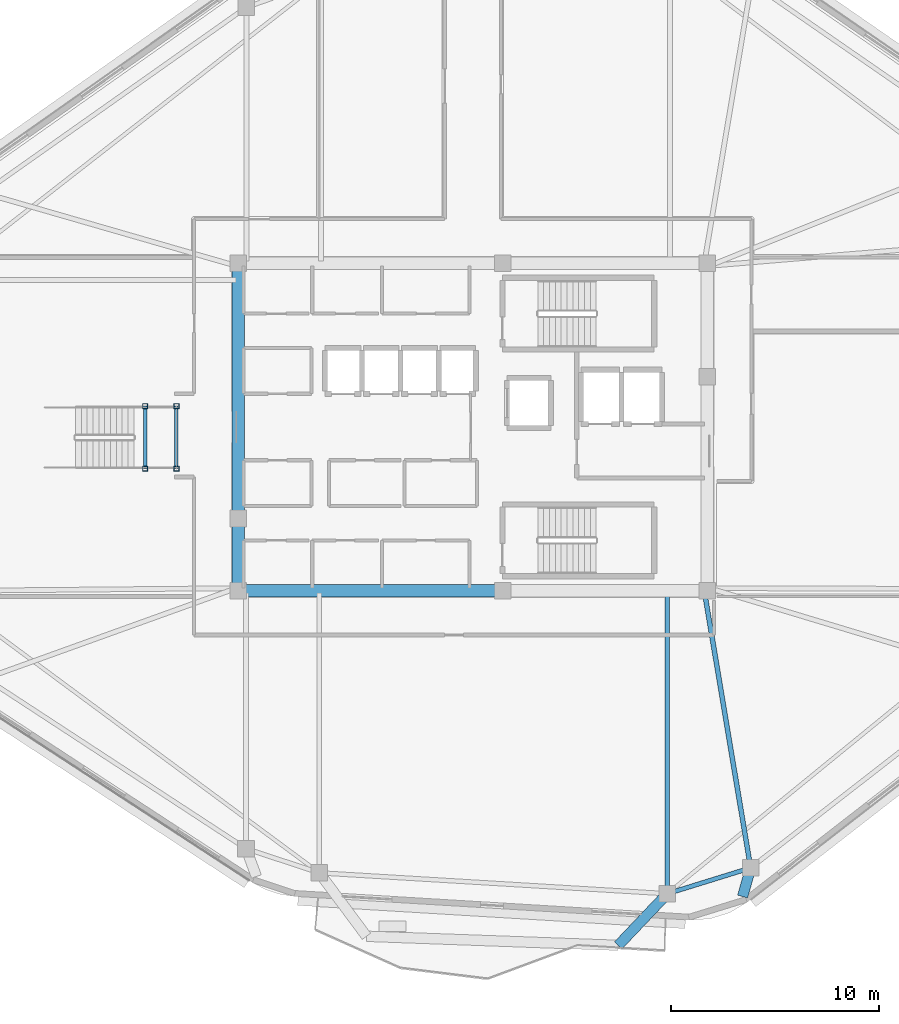
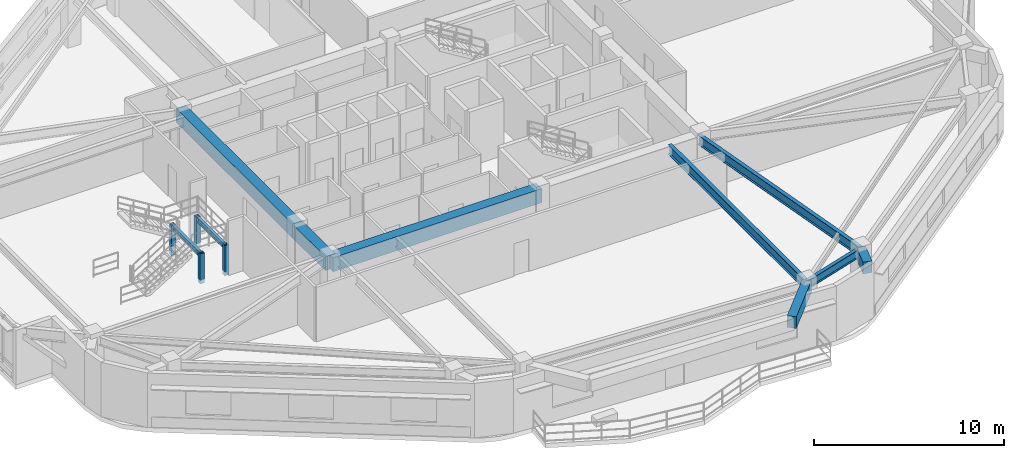
# One storey, part 5 of 18: 10 beams, 4 members.
"""IFC4 building model written with IfcOpenShell, lengths in metres."""

from ifc_helpers import new_model, si_unit, direction, frame, origin, origin_2d, place, context, subcontext, project, spatial, rectangle, hollow_rectangle, i_section, extrude, material, material_profile, profile_set, type_object, element, save


model = new_model("IFC4")

# Units and contexts
model_context = context("Model", 3, precision=1e-05, world=origin(), true_north=direction((0.0, 1.0)))
body_context = subcontext(model_context, "Body", "Model", "MODEL_VIEW")
ifc_project = project(units=[si_unit("LENGTHUNIT", "METRE"), si_unit("AREAUNIT", "SQUARE_METRE"), si_unit("VOLUMEUNIT", "CUBIC_METRE"), si_unit("PLANEANGLEUNIT", "RADIAN"), si_unit("MASSUNIT", "GRAM", prefix="KILO")], contexts=[model_context])

# Site, building, storey
site_placement = place(None, origin())
site = spatial("IfcSite", under=ifc_project, at=site_placement, CompositionType="ELEMENT")
building_placement = place(site_placement, origin())
building = spatial("IfcBuilding", under=site, at=building_placement, Name="Zulverin Broadcast Headquarters", CompositionType="ELEMENT")
storey_placement = place(building_placement, frame((0.0, 0.0, 225.0)))
storey = spatial("IfcBuildingStorey", under=building, at=storey_placement, Name="L57", CompositionType="ELEMENT", Elevation=225.0)

# Beams
ifc_material_1 = material(Name="Concrete C60/75", Category="concrete")
ifc_material_profile_1 = material_profile(ifc_material_1, rectangle(XDim=0.60009765625, YDim=0.89990234375, at=origin_2d()), Name="Concrete C60/75", Category="concrete")
ifc_profile_set_1 = profile_set([ifc_material_profile_1], Name="Concrete C60/75")
beam_type_1 = type_object("IfcBeamType", Name="BM-CB-600x900", PredefinedType="LINTEL", material=ifc_profile_set_1)
beam_1_placement = place(storey_placement, frame((25.72509765625, 17.324951171875, 3.06005859375), z_axis=(1.0, 0.0, 0.0), x_axis=(0.0, 1.0, 0.0)))
element("IfcBeam", 1, at=beam_1_placement, inside=storey, type_object=beam_type_1, Name="L57 Core Coupling Girder K01-K02", PredefinedType="LINTEL", context=body_context, shape_type="SweptSolid", body=[
    extrude(rectangle(XDim=0.60009765625, YDim=0.89990234375, at=origin_2d()), origin(), (0.0, 0.0, 1.0), 12.724853515625),
])
beam_2_placement = place(storey_placement, frame((25.72509765625, 33.074951171875, 3.06005859375), z_axis=(0.0, -1.0, 0.0), x_axis=(1.0, 0.0, 0.0)))
element("IfcBeam", 2, at=beam_2_placement, inside=storey, type_object=beam_type_1, Name="L57 Core Coupling Girder K07-K08", PredefinedType="LINTEL", context=body_context, shape_type="SweptSolid", body=[
    extrude(rectangle(XDim=0.60009765625, YDim=0.89990234375, at=origin_2d()), origin(), (0.0, 0.0, 1.0), 12.27490234375),
])
beam_3_placement = place(storey_placement, frame((25.72509765625, 20.800048828125, 3.06005859375), z_axis=(0.0, -1.0, 0.0), x_axis=(1.0, 0.0, 0.0)))
element("IfcBeam", 3, at=beam_3_placement, inside=storey, type_object=beam_type_1, Name="L57 Core Coupling Girder K08-K01", PredefinedType="LINTEL", context=body_context, shape_type="SweptSolid", body=[
    extrude(rectangle(XDim=0.60009765625, YDim=0.89990234375, at=origin_2d()), origin(), (0.0, 0.0, 1.0), 3.47509765625),
])
ifc_material_2 = material(Name="Concrete C40/50", Category="concrete")
ifc_material_profile_2 = material_profile(ifc_material_2, rectangle(XDim=0.5, YDim=0.75, at=origin_2d()), Name="Concrete C40/50", Category="concrete")
ifc_profile_set_2 = profile_set([ifc_material_profile_2], Name="Concrete C40/50")
beam_type_2 = type_object("IfcBeamType", Name="BM-RC-500x750", PredefinedType="BEAM", material=ifc_profile_set_2)
beam_4_placement = place(storey_placement, frame((50.361083984375, 4.001708984375, 3.135009765625), z_axis=(-0.269914876125, -0.962884188076, 0.0), x_axis=(0.962884188076, -0.269914876125, 0.0)))
element("IfcBeam", 4, at=beam_4_placement, inside=storey, type_object=beam_type_2, Name="L58 Plate Overhang Back-Spanned Beam OVR-03", PredefinedType="BEAM", context=body_context, shape_type="SweptSolid", body=[
    extrude(rectangle(XDim=0.5, YDim=0.75, at=origin_2d()), origin(), (0.0, 0.0, 1.0), 1.429931640625),
])
beam_5_placement = place(storey_placement, frame((46.3515625, 2.759521484375, 3.135009765625), z_axis=(-0.688246957327, -0.725476481858, 0.0), x_axis=(0.725476481858, -0.688246957327, 0.0)))
element("IfcBeam", 5, at=beam_5_placement, inside=storey, type_object=beam_type_2, Name="L58 Balcony Column-Framed Cantilever BAL_S-2", PredefinedType="BEAM", context=body_context, shape_type="SweptSolid", body=[
    extrude(rectangle(XDim=0.5, YDim=0.75, at=origin_2d()), origin(), (0.0, 0.0, 1.0), 3.423095703125),
])
ifc_material_3 = material(Name="Structural steel S355JR", Category="steel")
ifc_material_profile_3 = material_profile(ifc_material_3, i_section(OverallWidth=0.1669921875, OverallDepth=0.310302734375, WebThickness=0.0078125, FlangeThickness=0.013671875, at=origin_2d()), Name="Structural steel S355JR", Category="steel")
ifc_profile_set_3 = profile_set([ifc_material_profile_3], Name="Structural steel S355JR")
beam_type_3 = type_object("IfcBeamType", Name="BM-UB-305", PredefinedType="SPANDREL", material=ifc_profile_set_3)
for number, where, z_axis, x_axis, name in (
    (6, (22.75, 23.199951171875, 1.544921875), (0.0, 1.0, 0.0), (-1.0, 0.0, 0.0), "L57 Sky Stair Half-Landing Beam Outer"),
    (7, (21.25, 23.199951171875, 1.544921875), (0.0, 1.0, 0.0), (-1.0, 0.0, 0.0), "L57 Sky Stair Half-Landing Beam Inner"),
):
    element("IfcBeam", number, at=place(storey_placement, frame(where, z_axis=z_axis, x_axis=x_axis)), inside=storey, type_object=beam_type_3, Name=name, PredefinedType="SPANDREL", context=body_context, shape_type="SweptSolid", body=[
        extrude(i_section(OverallWidth=0.1669921875, OverallDepth=0.310302734375, WebThickness=0.0078125, FlangeThickness=0.013671875, at=origin_2d()), origin(), (0.0, 0.0, 1.0), 3.0),
    ])
ifc_material_profile_4 = material_profile(ifc_material_3, i_section(OverallWidth=0.2119140625, OverallDepth=0.54443359375, WebThickness=0.0126953125, FlangeThickness=0.021240234375, at=origin_2d()), Name="Structural steel S355JR", Category="steel")
ifc_profile_set_4 = profile_set([ifc_material_profile_4], Name="Structural steel S355JR")
beam_type_4 = type_object("IfcBeamType", Name="BM-UB-533", PredefinedType="SPANDREL", material=ifc_profile_set_4)
beam_6_placement = place(storey_placement, frame((46.3515625, 2.759521484375, 3.23779296875), z_axis=(0.955208799219, 0.295932677978, 0.0), x_axis=(-0.295932677978, 0.955208799219, 0.0)))
element("IfcBeam", 8, at=beam_6_placement, inside=storey, type_object=beam_type_4, Name="L57 Perimeter Spandrel Beam SP-02", PredefinedType="SPANDREL", context=body_context, shape_type="SweptSolid", body=[
    extrude(i_section(OverallWidth=0.2119140625, OverallDepth=0.54443359375, WebThickness=0.0126953125, FlangeThickness=0.021240234375, at=origin_2d()), origin(), (0.0, 0.0, 1.0), 4.197509765625),
])
ifc_material_profile_5 = material_profile(ifc_material_3, i_section(OverallWidth=0.230224609375, OverallDepth=0.6171875, WebThickness=0.01318359375, FlangeThickness=0.022216796875, at=origin_2d()), Name="Structural steel S355JR", Category="steel")
ifc_profile_set_5 = profile_set([ifc_material_profile_5], Name="Structural steel S355JR")
beam_type_5 = type_object("IfcBeamType", Name="BM-UB-610", PredefinedType="BEAM", material=ifc_profile_set_5)
beam_7_placement = place(storey_placement, frame((46.3515625, 17.22509765625, 3.201416015625), z_axis=(0.0, -1.0, 0.0), x_axis=(1.0, 0.0, 0.0)))
element("IfcBeam", 9, at=beam_7_placement, inside=storey, type_object=beam_type_5, Name="L57 Radial Primary Floor Beam RB-02", PredefinedType="BEAM", context=body_context, shape_type="SweptSolid", body=[
    extrude(i_section(OverallWidth=0.230224609375, OverallDepth=0.6171875, WebThickness=0.01318359375, FlangeThickness=0.022216796875, at=origin_2d()), origin(), (0.0, 0.0, 1.0), 14.465576171875),
])
beam_8_placement = place(storey_placement, frame((48.14990234375, 17.22509765625, 3.201416015625), z_axis=(0.1649275445, -0.986305685407, 0.0), x_axis=(0.986305685407, 0.1649275445, 0.0)))
element("IfcBeam", 10, at=beam_8_placement, inside=storey, type_object=beam_type_5, Name="L57 Radial Primary Floor Beam RB-03", PredefinedType="BEAM", context=body_context, shape_type="SweptSolid", body=[
    extrude(i_section(OverallWidth=0.230224609375, OverallDepth=0.6171875, WebThickness=0.01318359375, FlangeThickness=0.022216796875, at=origin_2d()), origin(), (0.0, 0.0, 1.0), 13.406982421875),
])

# Members
ifc_material_profile_6 = material_profile(ifc_material_3, hollow_rectangle(XDim=0.25, YDim=0.25, WallThickness=0.01611328125, at=origin_2d()), Name="Structural steel S355JR", Category="steel")
ifc_profile_set_6 = profile_set([ifc_material_profile_6], Name="Structural steel S355JR")
member_type = type_object("IfcMemberType", Name="MBR-BLT-POST", PredefinedType="POST", material=ifc_profile_set_6)
for number, where, z_axis, x_axis, name in (
    (11, (21.25, 23.199951171875, -0.239990234375), (0.0, 0.0, 1.0), (1.0, 0.0, 0.0), "L57 Sky Stair Half-Landing Post 1A"),
    (12, (22.75, 23.199951171875, -0.239990234375), (0.0, 0.0, 1.0), (1.0, 0.0, 0.0), "L57 Sky Stair Half-Landing Post 1B"),
    (13, (21.25, 26.199951171875, -0.239990234375), (0.0, 0.0, 1.0), (1.0, 0.0, 0.0), "L57 Sky Stair Half-Landing Post 2A"),
    (14, (22.75, 26.199951171875, -0.239990234375), (0.0, 0.0, 1.0), (1.0, 0.0, 0.0), "L57 Sky Stair Half-Landing Post 2B"),
):
    element("IfcMember", number, at=place(storey_placement, frame(where, z_axis=z_axis, x_axis=x_axis)), inside=storey, type_object=member_type, Name=name, PredefinedType="POST", context=body_context, shape_type="SweptSolid", body=[
        extrude(hollow_rectangle(XDim=0.25, YDim=0.25, WallThickness=0.01611328125, at=origin_2d()), origin(), (0.0, 0.0, 1.0), 1.93994140625),
    ])

save(model, "model.ifc")
